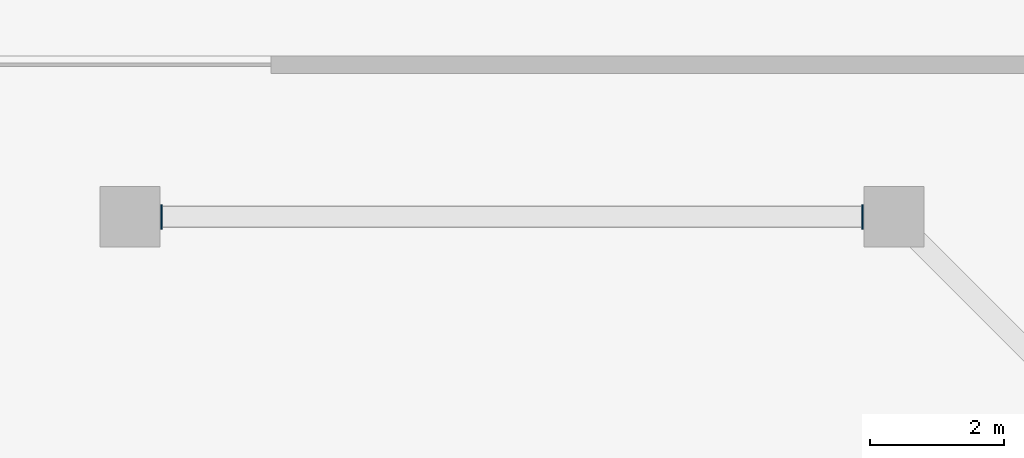
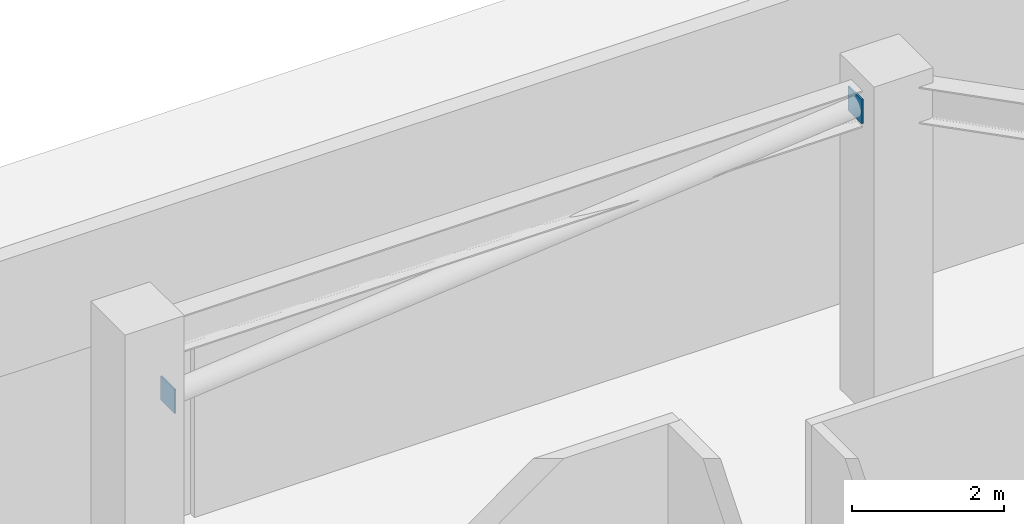
# One storey, part 7 of 20: 2 plates.
"""IFC4 building model written with IfcOpenShell, lengths in metres."""

from ifc_helpers import new_model, si_unit, direction, frame, origin, origin_2d, place, context, subcontext, project, spatial, rectangle, extrude, material, layer, layer_set, type_object, element, save


model = new_model("IFC4")

# Units and contexts
model_context = context("Model", 3, precision=1e-05, world=origin(), true_north=direction((0.0, 1.0)))
body_context = subcontext(model_context, "Body", "Model", "MODEL_VIEW")
ifc_project = project(units=[si_unit("LENGTHUNIT", "METRE"), si_unit("AREAUNIT", "SQUARE_METRE"), si_unit("VOLUMEUNIT", "CUBIC_METRE"), si_unit("PLANEANGLEUNIT", "RADIAN"), si_unit("MASSUNIT", "GRAM", prefix="KILO")], contexts=[model_context])

# Site, building, storey
site_placement = place(None, origin())
site = spatial("IfcSite", under=ifc_project, at=site_placement, CompositionType="ELEMENT")
building_placement = place(site_placement, origin())
building = spatial("IfcBuilding", under=site, at=building_placement, Name="Haolan Belvedere Tower", CompositionType="ELEMENT")
storey_placement = place(building_placement, origin())
storey = spatial("IfcBuildingStorey", under=building, at=storey_placement, Name="L00", CompositionType="ELEMENT", Elevation=0.0)

# Plates
ifc_material = material(Name="Steel Q355B", Category="steel")
ifc_layer = layer(ifc_material, 0.02490234375, Name="Steel Q355B")
ifc_layer_set = layer_set([ifc_layer], Name="Steel Q355B")
plate_type = type_object("IfcPlateType", Name="PL-CAP-25", PredefinedType="SHEET", material=ifc_layer_set)
for number, where, z_axis, x_axis, name in (
    (1, (7.067626953125, 51.60009765625, 3.65625), (0.0, 0.0, 1.0), (0.0, -1.0, 0.0), "Hollow steel end-cap plate CAN-STRUT-L00-5-CAP0"),
    (2, (17.532470703125, 51.60009765625, 4.65869140625), (0.0, 0.0, 1.0), (0.0, 1.0, 0.0), "Hollow steel end-cap plate CAN-STRUT-L00-5-CAP1"),
):
    element("IfcPlate", number, at=place(storey_placement, frame(where, z_axis=z_axis, x_axis=x_axis)), inside=storey, type_object=plate_type, Name=name, PredefinedType="SHEET", context=body_context, shape_type="SweptSolid", body=[
        extrude(rectangle(XDim=0.364990234375, YDim=0.02490234375, at=origin_2d()), origin(), (0.0, 0.0, 1.0), 0.385009765625),
    ])

save(model, "model.ifc")
